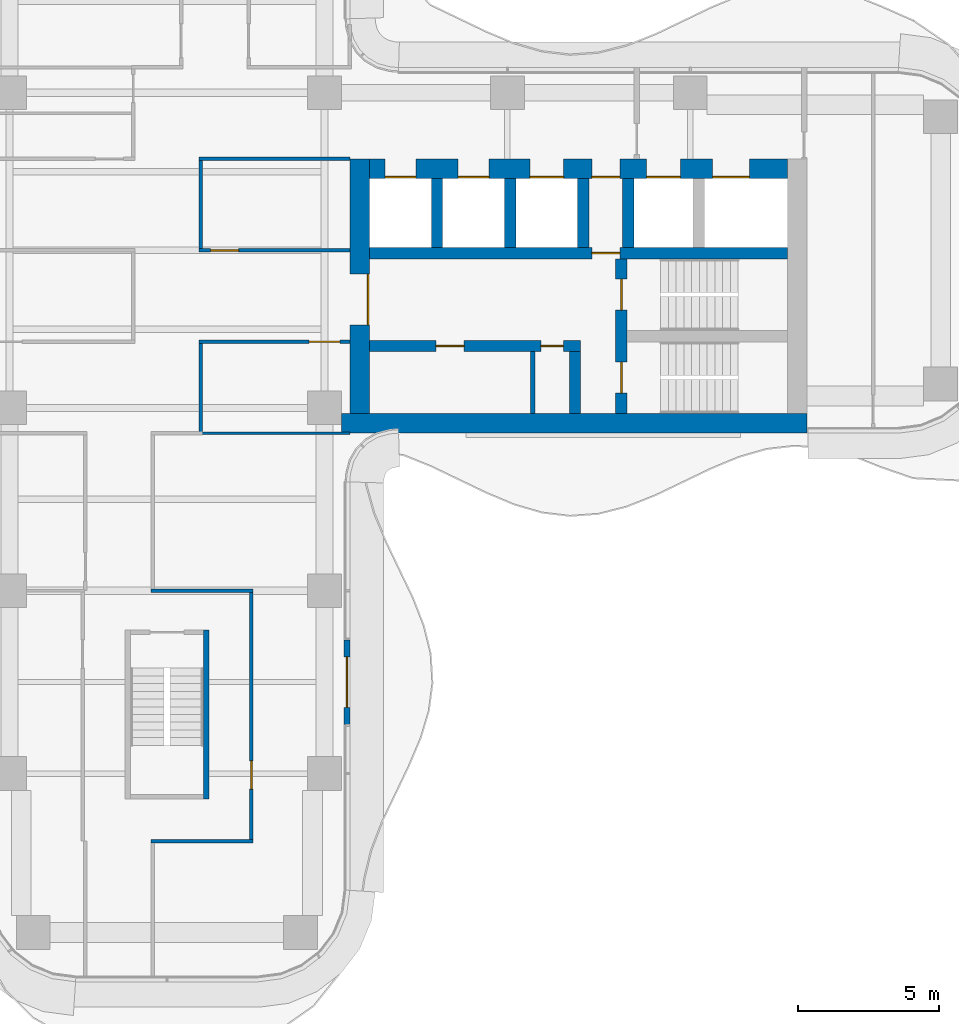
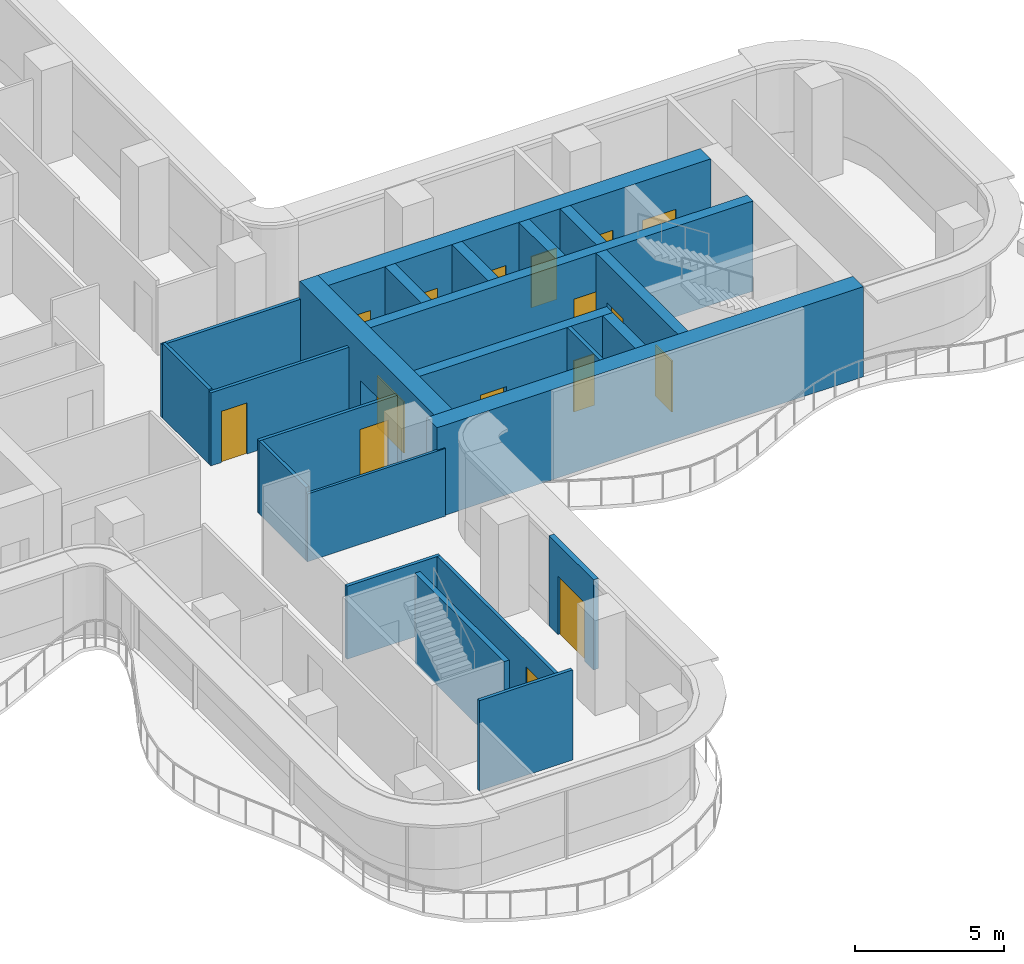
# One storey, part 13 of 17: 23 walls, 16 doors, 16 openings.
"""IFC4 building model written with IfcOpenShell, lengths in metres."""

from ifc_helpers import new_model, si_unit, direction, frame, frame_2d, origin, place, context, subcontext, project, spatial, rectangle, extrude, source, transform, mapped, material, layer, layer_set, type_object, element, fill, save


model = new_model("IFC4")

# Units and contexts
model_context = context("Model", 3, precision=1e-05, world=origin(), true_north=direction((0.0, 1.0)))
body_context = subcontext(model_context, "Body", "Model", "MODEL_VIEW")
ifc_project = project(units=[si_unit("LENGTHUNIT", "METRE"), si_unit("AREAUNIT", "SQUARE_METRE"), si_unit("VOLUMEUNIT", "CUBIC_METRE"), si_unit("PLANEANGLEUNIT", "RADIAN"), si_unit("MASSUNIT", "GRAM", prefix="KILO")], contexts=[model_context])

# Site, building, storey
site_placement = place(None, origin())
site = spatial("IfcSite", under=ifc_project, at=site_placement, CompositionType="ELEMENT")
building_placement = place(site_placement, origin())
building = spatial("IfcBuilding", under=site, at=building_placement, Name="Trellis Farm Tower", CompositionType="ELEMENT")
storey_placement = place(building_placement, frame((0.0, 0.0, 162.0)))
storey = spatial("IfcBuildingStorey", under=building, at=storey_placement, Name="L34", CompositionType="ELEMENT", Elevation=162.0)

# Wall, opening, door
ifc_material_1 = material(Name="Concrete C70/85", Category="concrete")
ifc_layer_1 = layer(ifc_material_1, 0.699951171875)
ifc_layer_set_1 = layer_set([ifc_layer_1], Name="CORE OUTER WALL 700 CONCRETE C70/85")
wall_type_1 = type_object("IfcWallType", Name="CORE OUTER WALL 700 CONCRETE C70/85", PredefinedType="SHEAR", material=ifc_layer_set_1)
shared_shape_1 = source(origin(), body_context, "Body", "SweptSolid", [
    extrude(rectangle(XDim=9.050048828125, YDim=0.699951171875, at=frame_2d((4.52490234375, 0.0))), origin(), (0.0, 0.0, 1.0), 3.699951171875),
])
wall_1_placement = place(storey_placement, frame((6.85009765625, -5.800048828125, 0.0), z_axis=(0.0, 0.0, 1.0), x_axis=(0.0, 1.0, 0.0)))
wall_1 = element("IfcWall", 1, at=wall_1_placement, inside=storey, type_object=wall_type_1, Name="Core wall", PredefinedType="SHEAR", context=body_context, shape_type="MappedRepresentation", body=[
    mapped(shared_shape_1, transform((0.0, 0.0, 0.0))),
])
shared_shape_2 = source(origin(), body_context, "Body", "SweptSolid", [
    extrude(rectangle(XDim=1.800048828125, YDim=2.10009765625, at=frame_2d((0.89990234375, 1.050048828125))), frame((0.0, 0.360107421875, 0.0), z_axis=(0.0, -1.0, 0.0), x_axis=(1.0, 0.0, 0.0)), (0.0, 0.0, 1.0), 0.72021484375),
])
opening_1_placement = place(wall_1_placement, frame((3.14990234375, 0.0, 0.0)))
opening_1 = element("IfcOpeningElement", 2, at=opening_1_placement, cuts=wall_1, Name="Opening DC1", PredefinedType="OPENING", context=body_context, shape_type="MappedRepresentation", body=[
    mapped(shared_shape_2, transform((0.0, 0.0, 0.0))),
])
ifc_material_2 = material(Name="Steel", Category="steel")
door_type_1 = type_object("IfcDoorType", Name="CORE FIRE DOOR DOUBLE 1800 X 2100", OperationType="DOUBLE_DOOR_SINGLE_SWING", PredefinedType="DOOR", material=ifc_material_2)
shared_shape_3 = source(origin(), body_context, "Body", "SweptSolid", [
    extrude(rectangle(XDim=1.800048828125, YDim=2.10009765625, at=frame_2d((0.89990234375, 1.050048828125))), frame((0.0, -0.27490234375, 0.0), z_axis=(0.0, -1.0, 0.0), x_axis=(1.0, 0.0, 0.0)), (0.0, 0.0, 1.0), 0.050048828125),
])
door_1_placement = place(opening_1_placement, origin())
door_1 = element("IfcDoor", 3, at=door_1_placement, inside=storey, type_object=door_type_1, Name="Core door", OperationType="DOUBLE_DOOR_SINGLE_SWING", OverallHeight=2.10009765625, OverallWidth=1.800048828125, PredefinedType="DOOR", context=body_context, shape_type="MappedRepresentation", body=[
    mapped(shared_shape_3, transform((0.0, 0.0, 0.0))),
])
fill(opening_1, door_1)

# Walls
ifc_layer_2 = layer(ifc_material_1, 0.39990234375)
ifc_layer_set_2 = layer_set([ifc_layer_2], Name="CORE INNER WALL 400 CONCRETE C70/85")
wall_type_2 = type_object("IfcWallType", Name="CORE INNER WALL 400 CONCRETE C70/85", PredefinedType="SHEAR", material=ifc_layer_set_2)
shared_shape_4 = source(origin(), body_context, "Body", "SweptSolid", [
    extrude(rectangle(XDim=2.449951171875, YDim=0.39990234375, at=frame_2d((1.22509765625, 0.0))), origin(), (0.0, 0.0, 1.0), 3.699951171875),
])
for number, where, z_axis, x_axis, name in (
    (4, (9.60009765625, 0.10009765625, 0.0), (0.0, 0.0, 1.0), (0.0, 1.0, 0.0), "Core wall"),
    (5, (12.199951171875, 0.10009765625, 0.0), (0.0, 0.0, 1.0), (0.0, 1.0, 0.0), "Core wall"),
    (6, (14.800048828125, 0.10009765625, 0.0), (0.0, 0.0, 1.0), (0.0, 1.0, 0.0), "Core wall"),
    (7, (16.39990234375, 0.10009765625, 0.0), (0.0, 0.0, 1.0), (0.0, 1.0, 0.0), "Core wall"),
):
    element("IfcWall", number, at=place(storey_placement, frame(where, z_axis=z_axis, x_axis=x_axis)), inside=storey, type_object=wall_type_2, Name=name, PredefinedType="SHEAR", context=body_context, shape_type="MappedRepresentation", body=[
        mapped(shared_shape_4, transform((0.0, 0.0, 0.0))),
    ])
shared_shape_5 = source(origin(), body_context, "Body", "SweptSolid", [
    extrude(rectangle(XDim=16.550048828125, YDim=0.699951171875, at=frame_2d((8.27490234375, 0.0))), origin(), (0.0, 0.0, 1.0), 3.699951171875),
])
wall_2_placement = place(storey_placement, frame((6.199951171875, -6.14990234375, 0.0), z_axis=(0.0, 0.0, 1.0), x_axis=(1.0, 0.0, 0.0)))
element("IfcWall", 8, at=wall_2_placement, inside=storey, type_object=wall_type_1, Name="Core wall", PredefinedType="SHEAR", context=body_context, shape_type="MappedRepresentation", body=[
    mapped(shared_shape_5, transform((0.0, 0.0, 0.0))),
])

# Wall, openings, doors
shared_shape_6 = source(origin(), body_context, "Body", "SweptSolid", [
    extrude(rectangle(XDim=14.85009765625, YDim=0.699951171875, at=frame_2d((7.425048828125, 0.0))), origin(), (0.0, 0.0, 1.0), 3.699951171875),
])
wall_3_placement = place(storey_placement, frame((7.199951171875, 2.89990234375, 0.0), z_axis=(0.0, 0.0, 1.0), x_axis=(1.0, 0.0, 0.0)))
wall_3 = element("IfcWall", 9, at=wall_3_placement, inside=storey, type_object=wall_type_1, Name="Core wall", PredefinedType="SHEAR", context=body_context, shape_type="MappedRepresentation", body=[
    mapped(shared_shape_6, transform((0.0, 0.0, 0.0))),
])
shared_shape_7 = source(origin(), body_context, "Body", "SweptSolid", [
    extrude(rectangle(XDim=1.10009765625, YDim=2.10009765625, at=frame_2d((0.550048828125, 1.050048828125))), frame((0.0, 0.360107421875, 0.0), z_axis=(0.0, -1.0, 0.0), x_axis=(1.0, 0.0, 0.0)), (0.0, 0.0, 1.0), 0.72021484375),
])
opening_2_placement = place(wall_3_placement, frame((0.550048828125, 0.0, 0.0)))
opening_2 = element("IfcOpeningElement", 10, at=opening_2_placement, cuts=wall_3, Name="Opening LD4", PredefinedType="OPENING", context=body_context, shape_type="MappedRepresentation", body=[
    mapped(shared_shape_7, transform((0.0, 0.0, 0.0))),
])
opening_3_placement = place(wall_3_placement, frame((3.14990234375, 0.0, 0.0)))
opening_3 = element("IfcOpeningElement", 11, at=opening_3_placement, cuts=wall_3, Name="Opening LD5", PredefinedType="OPENING", context=body_context, shape_type="MappedRepresentation", body=[
    mapped(shared_shape_7, transform((0.0, 0.0, 0.0))),
])
shared_shape_8 = source(origin(), body_context, "Body", "SweptSolid", [
    extrude(rectangle(XDim=1.199951171875, YDim=2.10009765625, at=frame_2d((0.60009765625, 1.050048828125))), frame((0.0, 0.360107421875, 0.0), z_axis=(0.0, -1.0, 0.0), x_axis=(1.0, 0.0, 0.0)), (0.0, 0.0, 1.0), 0.72021484375),
])
opening_4_placement = place(wall_3_placement, frame((5.699951171875, 0.0, 0.0)))
opening_4 = element("IfcOpeningElement", 12, at=opening_4_placement, cuts=wall_3, Name="Opening LD6", PredefinedType="OPENING", context=body_context, shape_type="MappedRepresentation", body=[
    mapped(shared_shape_8, transform((0.0, 0.0, 0.0))),
])
shared_shape_9 = source(origin(), body_context, "Body", "SweptSolid", [
    extrude(rectangle(XDim=1.300048828125, YDim=2.10009765625, at=frame_2d((0.64990234375, 1.050048828125))), frame((0.0, 0.360107421875, 0.0), z_axis=(0.0, -1.0, 0.0), x_axis=(1.0, 0.0, 0.0)), (0.0, 0.0, 1.0), 0.72021484375),
])
opening_5_placement = place(wall_3_placement, frame((12.199951171875, 0.0, 0.0)))
opening_5 = element("IfcOpeningElement", 13, at=opening_5_placement, cuts=wall_3, Name="Opening LD7", PredefinedType="OPENING", context=body_context, shape_type="MappedRepresentation", body=[
    mapped(shared_shape_9, transform((0.0, 0.0, 0.0))),
])
opening_6_placement = place(wall_3_placement, frame((9.85009765625, 0.0, 0.0)))
opening_6 = element("IfcOpeningElement", 14, at=opening_6_placement, cuts=wall_3, Name="Opening LD8", PredefinedType="OPENING", context=body_context, shape_type="MappedRepresentation", body=[
    mapped(shared_shape_8, transform((0.0, 0.0, 0.0))),
])
shared_shape_10 = source(origin(), body_context, "Body", "SweptSolid", [
    extrude(rectangle(XDim=1.0, YDim=2.10009765625, at=frame_2d((0.5, 1.050048828125))), frame((0.0, 0.360107421875, 0.0), z_axis=(0.0, -1.0, 0.0), x_axis=(1.0, 0.0, 0.0)), (0.0, 0.0, 1.0), 0.72021484375),
])
opening_7_placement = place(wall_3_placement, frame((7.89990234375, 0.0, 0.0)))
opening_7 = element("IfcOpeningElement", 15, at=opening_7_placement, cuts=wall_3, Name="Opening DC6", PredefinedType="OPENING", context=body_context, shape_type="MappedRepresentation", body=[
    mapped(shared_shape_10, transform((0.0, 0.0, 0.0))),
])
door_type_2 = type_object("IfcDoorType", Name="CORE FIRE DOOR 1000 X 2100", OperationType="NOTDEFINED", PredefinedType="DOOR", material=ifc_material_2)
shared_shape_11 = source(origin(), body_context, "Body", "SweptSolid", [
    extrude(rectangle(XDim=1.0, YDim=2.10009765625, at=frame_2d((0.5, 1.050048828125))), frame((0.0, -0.27490234375, 0.0), z_axis=(0.0, -1.0, 0.0), x_axis=(1.0, 0.0, 0.0)), (0.0, 0.0, 1.0), 0.050048828125),
])
door_2_placement = place(opening_7_placement, origin())
door_2 = element("IfcDoor", 16, at=door_2_placement, inside=storey, type_object=door_type_2, Name="Core door", OperationType="SINGLE_SWING_LEFT", OverallHeight=2.10009765625, OverallWidth=1.0, PredefinedType="DOOR", context=body_context, shape_type="MappedRepresentation", body=[
    mapped(shared_shape_11, transform((0.0, 0.0, 0.0))),
])
fill(opening_7, door_2)
ifc_material_3 = material(Name="Stainless steel", Category="steel")
door_type_3 = type_object("IfcDoorType", Name="LIFT LANDING DOOR 1300 X 2100", OperationType="DOUBLE_DOOR_SLIDING", PredefinedType="DOOR", material=ifc_material_3)
shared_shape_12 = source(origin(), body_context, "Body", "SweptSolid", [
    extrude(rectangle(XDim=1.300048828125, YDim=2.10009765625, at=frame_2d((0.64990234375, 1.050048828125))), frame((0.0, -0.27490234375, 0.0), z_axis=(0.0, -1.0, 0.0), x_axis=(1.0, 0.0, 0.0)), (0.0, 0.0, 1.0), 0.050048828125),
])
door_3_placement = place(opening_5_placement, origin())
door_3 = element("IfcDoor", 17, at=door_3_placement, inside=storey, type_object=door_type_3, Name="Lift landing door", OperationType="DOUBLE_DOOR_SLIDING", OverallHeight=2.10009765625, OverallWidth=1.300048828125, PredefinedType="DOOR", context=body_context, shape_type="MappedRepresentation", body=[
    mapped(shared_shape_12, transform((0.0, 0.0, 0.0))),
])
fill(opening_5, door_3)
door_type_4 = type_object("IfcDoorType", Name="LIFT LANDING DOOR 1200 X 2100", OperationType="DOUBLE_DOOR_SLIDING", PredefinedType="DOOR", material=ifc_material_3)
shared_shape_13 = source(origin(), body_context, "Body", "SweptSolid", [
    extrude(rectangle(XDim=1.199951171875, YDim=2.10009765625, at=frame_2d((0.60009765625, 1.050048828125))), frame((0.0, -0.27490234375, 0.0), z_axis=(0.0, -1.0, 0.0), x_axis=(1.0, 0.0, 0.0)), (0.0, 0.0, 1.0), 0.050048828125),
])
door_4_placement = place(opening_4_placement, origin())
door_4 = element("IfcDoor", 18, at=door_4_placement, inside=storey, type_object=door_type_4, Name="Lift landing door", OperationType="DOUBLE_DOOR_SLIDING", OverallHeight=2.10009765625, OverallWidth=1.199951171875, PredefinedType="DOOR", context=body_context, shape_type="MappedRepresentation", body=[
    mapped(shared_shape_13, transform((0.0, 0.0, 0.0))),
])
fill(opening_4, door_4)
door_5_placement = place(opening_6_placement, origin())
door_5 = element("IfcDoor", 19, at=door_5_placement, inside=storey, type_object=door_type_4, Name="Lift landing door", OperationType="DOUBLE_DOOR_SLIDING", OverallHeight=2.10009765625, OverallWidth=1.199951171875, PredefinedType="DOOR", context=body_context, shape_type="MappedRepresentation", body=[
    mapped(shared_shape_13, transform((0.0, 0.0, 0.0))),
])
fill(opening_6, door_5)
door_type_5 = type_object("IfcDoorType", Name="LIFT LANDING DOOR 1100 X 2100", OperationType="DOUBLE_DOOR_SLIDING", PredefinedType="DOOR", material=ifc_material_3)
shared_shape_14 = source(origin(), body_context, "Body", "SweptSolid", [
    extrude(rectangle(XDim=1.10009765625, YDim=2.10009765625, at=frame_2d((0.550048828125, 1.050048828125))), frame((0.0, -0.27490234375, 0.0), z_axis=(0.0, -1.0, 0.0), x_axis=(1.0, 0.0, 0.0)), (0.0, 0.0, 1.0), 0.050048828125),
])
door_6_placement = place(opening_2_placement, origin())
door_6 = element("IfcDoor", 20, at=door_6_placement, inside=storey, type_object=door_type_5, Name="Lift landing door", OperationType="DOUBLE_DOOR_SLIDING", OverallHeight=2.10009765625, OverallWidth=1.10009765625, PredefinedType="DOOR", context=body_context, shape_type="MappedRepresentation", body=[
    mapped(shared_shape_14, transform((0.0, 0.0, 0.0))),
])
fill(opening_2, door_6)
door_7_placement = place(opening_3_placement, origin())
door_7 = element("IfcDoor", 21, at=door_7_placement, inside=storey, type_object=door_type_5, Name="Lift landing door", OperationType="DOUBLE_DOOR_SLIDING", OverallHeight=2.10009765625, OverallWidth=1.10009765625, PredefinedType="DOOR", context=body_context, shape_type="MappedRepresentation", body=[
    mapped(shared_shape_14, transform((0.0, 0.0, 0.0))),
])
fill(opening_3, door_7)

shared_shape_15 = source(origin(), body_context, "Body", "SweptSolid", [
    extrude(rectangle(XDim=7.5, YDim=0.39990234375, at=frame_2d((3.75, 0.0))), origin(), (0.0, 0.0, 1.0), 3.699951171875),
])
wall_4_placement = place(storey_placement, frame((7.199951171875, -3.39990234375, 0.0), z_axis=(0.0, 0.0, 1.0), x_axis=(1.0, 0.0, 0.0)))
wall_4 = element("IfcWall", 22, at=wall_4_placement, inside=storey, type_object=wall_type_2, Name="Core wall", PredefinedType="SHEAR", context=body_context, shape_type="MappedRepresentation", body=[
    mapped(shared_shape_15, transform((0.0, 0.0, 0.0))),
])
shared_shape_16 = source(origin(), body_context, "Body", "SweptSolid", [
    extrude(rectangle(XDim=1.0, YDim=2.10009765625, at=frame_2d((0.5, 1.050048828125))), frame((0.0, 0.2099609375, 0.0), z_axis=(0.0, -1.0, 0.0), x_axis=(1.0, 0.0, 0.0)), (0.0, 0.0, 1.0), 0.419921875),
])
opening_8_placement = place(wall_4_placement, frame((2.362548828125, 0.0, 0.0)))
opening_8 = element("IfcOpeningElement", 23, at=opening_8_placement, cuts=wall_4, Name="Opening DC55", PredefinedType="OPENING", context=body_context, shape_type="MappedRepresentation", body=[
    mapped(shared_shape_16, transform((0.0, 0.0, 0.0))),
])
shared_shape_17 = source(origin(), body_context, "Body", "SweptSolid", [
    extrude(rectangle(XDim=0.800048828125, YDim=2.10009765625, at=frame_2d((0.39990234375, 1.050048828125))), frame((0.0, 0.2099609375, 0.0), z_axis=(0.0, -1.0, 0.0), x_axis=(1.0, 0.0, 0.0)), (0.0, 0.0, 1.0), 0.419921875),
])
opening_9_placement = place(wall_4_placement, frame((6.08740234375, 0.0, 0.0)))
opening_9 = element("IfcOpeningElement", 24, at=opening_9_placement, cuts=wall_4, Name="Opening DC58", PredefinedType="OPENING", context=body_context, shape_type="MappedRepresentation", body=[
    mapped(shared_shape_17, transform((0.0, 0.0, 0.0))),
])
shared_shape_18 = source(origin(), body_context, "Body", "SweptSolid", [
    extrude(rectangle(XDim=1.0, YDim=2.10009765625, at=frame_2d((0.5, 1.050048828125))), frame((0.0, 0.02490234375, 0.0), z_axis=(0.0, -1.0, 0.0), x_axis=(1.0, 0.0, 0.0)), (0.0, 0.0, 1.0), 0.050048828125),
])
door_8_placement = place(opening_8_placement, origin())
door_8 = element("IfcDoor", 25, at=door_8_placement, inside=storey, type_object=door_type_2, Name="Core door", OperationType="SINGLE_SWING_LEFT", OverallHeight=2.10009765625, OverallWidth=1.0, PredefinedType="DOOR", context=body_context, shape_type="MappedRepresentation", body=[
    mapped(shared_shape_18, transform((0.0, 0.0, 0.0))),
])
fill(opening_8, door_8)
door_type_6 = type_object("IfcDoorType", Name="CORE FIRE DOOR 800 X 2100", OperationType="NOTDEFINED", PredefinedType="DOOR", material=ifc_material_2)
shared_shape_19 = source(origin(), body_context, "Body", "SweptSolid", [
    extrude(rectangle(XDim=0.800048828125, YDim=2.10009765625, at=frame_2d((0.39990234375, 1.050048828125))), frame((0.0, 0.02490234375, 0.0), z_axis=(0.0, -1.0, 0.0), x_axis=(1.0, 0.0, 0.0)), (0.0, 0.0, 1.0), 0.050048828125),
])
door_9_placement = place(opening_9_placement, origin())
door_9 = element("IfcDoor", 26, at=door_9_placement, inside=storey, type_object=door_type_6, Name="Core door", OperationType="SINGLE_SWING_RIGHT", OverallHeight=2.10009765625, OverallWidth=0.800048828125, PredefinedType="DOOR", context=body_context, shape_type="MappedRepresentation", body=[
    mapped(shared_shape_19, transform((0.0, 0.0, 0.0))),
])
fill(opening_9, door_9)

# Wall, opening, door
shared_shape_20 = source(origin(), body_context, "Body", "SweptSolid", [
    extrude(rectangle(XDim=14.85009765625, YDim=0.39990234375, at=frame_2d((7.425048828125, 0.0))), origin(), (0.0, 0.0, 1.0), 3.699951171875),
])
wall_5_placement = place(storey_placement, frame((7.199951171875, -0.10009765625, 0.0), z_axis=(0.0, 0.0, 1.0), x_axis=(1.0, 0.0, 0.0)))
wall_5 = element("IfcWall", 27, at=wall_5_placement, inside=storey, type_object=wall_type_2, Name="Core wall", PredefinedType="SHEAR", context=body_context, shape_type="MappedRepresentation", body=[
    mapped(shared_shape_20, transform((0.0, 0.0, 0.0))),
])
opening_10_placement = place(wall_5_placement, frame((7.89990234375, 0.0, 0.0)))
opening_10 = element("IfcOpeningElement", 28, at=opening_10_placement, cuts=wall_5, Name="Opening DC5", PredefinedType="OPENING", context=body_context, shape_type="MappedRepresentation", body=[
    mapped(shared_shape_16, transform((0.0, 0.0, 0.0))),
])
door_10_placement = place(opening_10_placement, origin())
door_10 = element("IfcDoor", 29, at=door_10_placement, inside=storey, type_object=door_type_2, Name="Core door", OperationType="SINGLE_SWING_RIGHT", OverallHeight=2.10009765625, OverallWidth=1.0, PredefinedType="DOOR", context=body_context, shape_type="MappedRepresentation", body=[
    mapped(shared_shape_18, transform((0.0, 0.0, 0.0))),
])
fill(opening_10, door_10)

# Wall, openings, doors
shared_shape_21 = source(origin(), body_context, "Body", "SweptSolid", [
    extrude(rectangle(XDim=5.5, YDim=0.39990234375, at=frame_2d((2.75, 0.0))), origin(), (0.0, 0.0, 1.0), 3.699951171875),
])
wall_6_placement = place(storey_placement, frame((16.14990234375, -5.800048828125, 0.0), z_axis=(0.0, 0.0, 1.0), x_axis=(0.0, 1.0, 0.0)))
wall_6 = element("IfcWall", 30, at=wall_6_placement, inside=storey, type_object=wall_type_2, Name="Core wall", PredefinedType="SHEAR", context=body_context, shape_type="MappedRepresentation", body=[
    mapped(shared_shape_21, transform((0.0, 0.0, 0.0))),
])
shared_shape_22 = source(origin(), body_context, "Body", "SweptSolid", [
    extrude(rectangle(XDim=1.10009765625, YDim=2.10009765625, at=frame_2d((0.550048828125, 1.050048828125))), frame((0.0, 0.2099609375, 0.0), z_axis=(0.0, -1.0, 0.0), x_axis=(1.0, 0.0, 0.0)), (0.0, 0.0, 1.0), 0.419921875),
])
opening_11_placement = place(wall_6_placement, frame((0.72509765625, 0.0, 0.0)))
opening_11 = element("IfcOpeningElement", 31, at=opening_11_placement, cuts=wall_6, Name="Opening DC2", PredefinedType="OPENING", context=body_context, shape_type="MappedRepresentation", body=[
    mapped(shared_shape_22, transform((0.0, 0.0, 0.0))),
])
opening_12_placement = place(wall_6_placement, frame((3.675048828125, 0.0, 0.0)))
opening_12 = element("IfcOpeningElement", 32, at=opening_12_placement, cuts=wall_6, Name="Opening DC3", PredefinedType="OPENING", context=body_context, shape_type="MappedRepresentation", body=[
    mapped(shared_shape_22, transform((0.0, 0.0, 0.0))),
])
door_type_7 = type_object("IfcDoorType", Name="CORE FIRE DOOR 1100 X 2100", OperationType="NOTDEFINED", PredefinedType="DOOR", material=ifc_material_2)
shared_shape_23 = source(origin(), body_context, "Body", "SweptSolid", [
    extrude(rectangle(XDim=1.10009765625, YDim=2.10009765625, at=frame_2d((0.550048828125, 1.050048828125))), frame((0.0, 0.02490234375, 0.0), z_axis=(0.0, -1.0, 0.0), x_axis=(1.0, 0.0, 0.0)), (0.0, 0.0, 1.0), 0.050048828125),
])
door_11_placement = place(opening_11_placement, origin())
door_11 = element("IfcDoor", 33, at=door_11_placement, inside=storey, type_object=door_type_7, Name="Core door", OperationType="SINGLE_SWING_RIGHT", OverallHeight=2.10009765625, OverallWidth=1.10009765625, PredefinedType="DOOR", context=body_context, shape_type="MappedRepresentation", body=[
    mapped(shared_shape_23, transform((0.0, 0.0, 0.0))),
])
fill(opening_11, door_11)
door_12_placement = place(opening_12_placement, origin())
door_12 = element("IfcDoor", 34, at=door_12_placement, inside=storey, type_object=door_type_7, Name="Core door", OperationType="SINGLE_SWING_LEFT", OverallHeight=2.10009765625, OverallWidth=1.10009765625, PredefinedType="DOOR", context=body_context, shape_type="MappedRepresentation", body=[
    mapped(shared_shape_23, transform((0.0, 0.0, 0.0))),
])
fill(opening_12, door_12)

# Walls
shared_shape_24 = source(origin(), body_context, "Body", "SweptSolid", [
    extrude(rectangle(XDim=2.199951171875, YDim=0.39990234375, at=frame_2d((1.10009765625, 0.0))), origin(), (0.0, 0.0, 1.0), 3.699951171875),
])
wall_7_placement = place(storey_placement, frame((14.5, -5.800048828125, 0.0), z_axis=(0.0, 0.0, 1.0), x_axis=(0.0, 1.0, 0.0)))
element("IfcWall", 35, at=wall_7_placement, inside=storey, type_object=wall_type_2, Name="Core wall", PredefinedType="SHEAR", context=body_context, shape_type="MappedRepresentation", body=[
    mapped(shared_shape_24, transform((0.0, 0.0, 0.0))),
])
ifc_material_4 = material(Name="Masonry blockwork", Category="masonry")
ifc_layer_3 = layer(ifc_material_4, 0.14990234375)
ifc_layer_set_3 = layer_set([ifc_layer_3], Name="CORE PARTITION 150 BLOCKWORK")
wall_type_3 = type_object("IfcWallType", Name="CORE PARTITION 150 BLOCKWORK", PredefinedType="PARTITIONING", material=ifc_layer_set_3)
shared_shape_25 = source(origin(), body_context, "Body", "SweptSolid", [
    extrude(rectangle(XDim=2.199951171875, YDim=0.14990234375, at=frame_2d((1.10009765625, 0.0))), origin(), (0.0, 0.0, 1.0), 3.699951171875),
])
wall_8_placement = place(storey_placement, frame((13.0, -5.800048828125, 0.0), z_axis=(0.0, 0.0, 1.0), x_axis=(0.0, 1.0, 0.0)))
element("IfcWall", 36, at=wall_8_placement, inside=storey, type_object=wall_type_3, Name="Core room partition", PredefinedType="PARTITIONING", context=body_context, shape_type="MappedRepresentation", body=[
    mapped(shared_shape_25, transform((0.0, 0.0, 0.0))),
])
ifc_layer_4 = layer(ifc_material_1, 0.199951171875)
ifc_layer_set_4 = layer_set([ifc_layer_4], Name="CORE STAIR ENCLOSURE WALL 200 CONCRETE C70/85")
wall_type_4 = type_object("IfcWallType", Name="CORE STAIR ENCLOSURE WALL 200 CONCRETE C70/85", PredefinedType="SHEAR", material=ifc_layer_set_4)
shared_shape_26 = source(origin(), body_context, "Body", "SweptSolid", [
    extrude(rectangle(XDim=6.0, YDim=0.199951171875, at=frame_2d((3.0, 0.0))), origin(), (0.0, 0.0, 1.0), 3.699951171875),
])
wall_9_placement = place(storey_placement, frame((1.39990234375, -13.5, 0.0), z_axis=(0.0, 0.0, 1.0), x_axis=(0.0, -1.0, 0.0)))
element("IfcWall", 37, at=wall_9_placement, inside=storey, type_object=wall_type_4, Name="Stair enclosure wall", PredefinedType="SHEAR", context=body_context, shape_type="MappedRepresentation", body=[
    mapped(shared_shape_26, transform((0.0, 0.0, 0.0))),
])

# Wall, opening, door
ifc_material_5 = material(Name="Sandstone faced insulated wall", Category="masonry")
ifc_layer_5 = layer(ifc_material_5, 0.199951171875)
ifc_layer_set_5 = layer_set([ifc_layer_5], Name="EXTERNAL INFILL WALL 200")
wall_type_5 = type_object("IfcWallType", Name="EXTERNAL INFILL WALL 200", PredefinedType="SOLIDWALL", material=ifc_layer_set_5)
shared_shape_27 = source(origin(), body_context, "Body", "SweptSolid", [
    extrude(rectangle(XDim=3.0, YDim=0.199951171875, at=frame_2d((1.5, 0.0))), origin(), (0.0, 0.0, 1.0), 3.699951171875),
])
wall_10_placement = place(storey_placement, frame((6.39990234375, -16.85009765625, 0.0), z_axis=(0.0, 0.0, 1.0), x_axis=(0.0, 1.0, 0.0)))
wall_10 = element("IfcWall", 38, at=wall_10_placement, inside=storey, type_object=wall_type_5, Name="EW1 01", PredefinedType="SOLIDWALL", context=body_context, shape_type="MappedRepresentation", body=[
    mapped(shared_shape_27, transform((0.0, 0.0, 0.0))),
])
shared_shape_28 = source(origin(), body_context, "Body", "SweptSolid", [
    extrude(rectangle(XDim=1.800048828125, YDim=2.39990234375, at=frame_2d((0.89990234375, 1.199951171875))), frame((0.0, 0.110107421875, 0.0), z_axis=(0.0, -1.0, 0.0), x_axis=(1.0, 0.0, 0.0)), (0.0, 0.0, 1.0), 0.22021484375),
])
opening_13_placement = place(wall_10_placement, frame((0.60009765625, 0.0, 0.0)))
opening_13 = element("IfcOpeningElement", 39, at=opening_13_placement, cuts=wall_10, Name="Opening ED1", PredefinedType="OPENING", context=body_context, shape_type="MappedRepresentation", body=[
    mapped(shared_shape_28, transform((0.0, 0.0, 0.0))),
])
ifc_material_6 = material(Name="Aluminium framed glazed door", Category="aluminium")
door_type_8 = type_object("IfcDoorType", Name="BALCONY DOOR 1800x2400", OperationType="DOUBLE_DOOR_SINGLE_SWING", PredefinedType="DOOR", material=ifc_material_6)
shared_shape_29 = source(origin(), body_context, "Body", "SweptSolid", [
    extrude(rectangle(XDim=1.800048828125, YDim=2.39990234375, at=frame_2d((0.89990234375, 1.199951171875))), frame((0.0, 0.02490234375, 0.0), z_axis=(0.0, -1.0, 0.0), x_axis=(1.0, 0.0, 0.0)), (0.0, 0.0, 1.0), 0.050048828125),
])
door_13_placement = place(opening_13_placement, origin())
door_13 = element("IfcDoor", 40, at=door_13_placement, inside=storey, type_object=door_type_8, Name="Balcony door", OperationType="DOUBLE_DOOR_SINGLE_SWING", OverallHeight=2.39990234375, OverallWidth=1.800048828125, PredefinedType="DOOR", context=body_context, shape_type="MappedRepresentation", body=[
    mapped(shared_shape_29, transform((0.0, 0.0, 0.0))),
])
fill(opening_13, door_13)

# Walls
ifc_material_7 = material(Name="Plasterboard on steel studs, mineral wool", Category="steel")
ifc_layer_6 = layer(ifc_material_7, 0.125)
ifc_layer_set_6 = layer_set([ifc_layer_6], Name="PARTITION 125 STUD EI 60")
wall_type_6 = type_object("IfcWallType", Name="PARTITION 125 STUD EI 60", PredefinedType="PARTITIONING", material=ifc_layer_set_6)
shared_shape_30 = source(origin(), body_context, "Body", "SweptSolid", [
    extrude(rectangle(XDim=3.137451171875, YDim=0.125, at=frame_2d((1.56884765625, 0.0))), origin(), (0.0, 0.0, 1.0), 2.99658203125),
])
wall_11_placement = place(storey_placement, frame((1.199951171875, -3.3125, 0.0), z_axis=(0.0, 0.0, 1.0), x_axis=(0.0, -1.0, 0.0)))
element("IfcWall", 41, at=wall_11_placement, inside=storey, type_object=wall_type_6, Name="Partition PW1", PredefinedType="PARTITIONING", context=body_context, shape_type="MappedRepresentation", body=[
    mapped(shared_shape_30, transform((0.0, 0.0, 0.0))),
])
shared_shape_31 = source(origin(), body_context, "Body", "SweptSolid", [
    extrude(rectangle(XDim=3.125, YDim=0.125, at=frame_2d((1.5625, 0.0))), origin(), (0.0, 0.0, 1.0), 3.06787109375),
])
wall_12_placement = place(storey_placement, frame((1.199951171875, 3.1875, 0.0), z_axis=(0.0, 0.0, 1.0), x_axis=(0.0, -1.0, 0.0)))
element("IfcWall", 42, at=wall_12_placement, inside=storey, type_object=wall_type_6, Name="Partition PW1", PredefinedType="PARTITIONING", context=body_context, shape_type="MappedRepresentation", body=[
    mapped(shared_shape_31, transform((0.0, 0.0, 0.0))),
])

# Wall, opening, door
shared_shape_32 = source(origin(), body_context, "Body", "SweptSolid", [
    extrude(rectangle(XDim=5.362548828125, YDim=0.125, at=frame_2d((2.68115234375, 0.0))), origin(), (0.0, 0.0, 1.0), 2.99658203125),
])
wall_13_placement = place(storey_placement, frame((6.5, -3.25, 0.0), z_axis=(0.0, 0.0, 1.0), x_axis=(-1.0, 0.0, 0.0)))
wall_13 = element("IfcWall", 43, at=wall_13_placement, inside=storey, type_object=wall_type_6, Name="Partition PW1", PredefinedType="PARTITIONING", context=body_context, shape_type="MappedRepresentation", body=[
    mapped(shared_shape_32, transform((0.0, 0.0, 0.0))),
])
shared_shape_33 = source(origin(), body_context, "Body", "SweptSolid", [
    extrude(rectangle(XDim=1.10009765625, YDim=2.10009765625, at=frame_2d((0.550048828125, 1.050048828125))), frame((0.0, 0.072509765625, 0.0), z_axis=(0.0, -1.0, 0.0), x_axis=(1.0, 0.0, 0.0)), (0.0, 0.0, 1.0), 0.14501953125),
])
opening_14_placement = place(wall_13_placement, frame((0.35009765625, 0.0, 0.0)))
opening_14 = element("IfcOpeningElement", 44, at=opening_14_placement, cuts=wall_13, Name="Opening D501", PredefinedType="OPENING", context=body_context, shape_type="MappedRepresentation", body=[
    mapped(shared_shape_33, transform((0.0, 0.0, 0.0))),
])
ifc_material_8 = material(Name="Fire-rated timber door leaf in a hollow metal frame", Category="wood")
door_type_9 = type_object("IfcDoorType", Name="DOOR 1100x2100 FD30S", OperationType="NOTDEFINED", PredefinedType="DOOR", material=ifc_material_8)
door_14_placement = place(opening_14_placement, origin())
door_14 = element("IfcDoor", 45, at=door_14_placement, inside=storey, type_object=door_type_9, Name="Door D501", OperationType="SINGLE_SWING_LEFT", OverallHeight=2.10009765625, OverallWidth=1.10009765625, PredefinedType="DOOR", context=body_context, shape_type="MappedRepresentation", body=[
    mapped(shared_shape_23, transform((0.0, 0.0, 0.0))),
])
fill(opening_14, door_14)

wall_14_placement = place(storey_placement, frame((6.5, 0.0, 0.0), z_axis=(0.0, 0.0, 1.0), x_axis=(-1.0, 0.0, 0.0)))
wall_14 = element("IfcWall", 46, at=wall_14_placement, inside=storey, type_object=wall_type_6, Name="Partition PW1", PredefinedType="PARTITIONING", context=body_context, shape_type="MappedRepresentation", body=[
    mapped(shared_shape_32, transform((0.0, 0.0, 0.0))),
])
shared_shape_34 = source(origin(), body_context, "Body", "SweptSolid", [
    extrude(rectangle(XDim=1.0, YDim=2.10009765625, at=frame_2d((0.5, 1.050048828125))), frame((0.0, 0.072509765625, 0.0), z_axis=(0.0, -1.0, 0.0), x_axis=(1.0, 0.0, 0.0)), (0.0, 0.0, 1.0), 0.14501953125),
])
opening_15_placement = place(wall_14_placement, frame((3.949951171875, 0.0, 0.0)))
opening_15 = element("IfcOpeningElement", 47, at=opening_15_placement, cuts=wall_14, Name="Opening D106", PredefinedType="OPENING", context=body_context, shape_type="MappedRepresentation", body=[
    mapped(shared_shape_34, transform((0.0, 0.0, 0.0))),
])
door_type_10 = type_object("IfcDoorType", Name="DOOR 1000x2100 FD30S", OperationType="NOTDEFINED", PredefinedType="DOOR", material=ifc_material_8)
door_15_placement = place(opening_15_placement, origin())
door_15 = element("IfcDoor", 48, at=door_15_placement, inside=storey, type_object=door_type_10, Name="Door D106", OperationType="SINGLE_SWING_RIGHT", OverallHeight=2.10009765625, OverallWidth=1.0, PredefinedType="DOOR", context=body_context, shape_type="MappedRepresentation", body=[
    mapped(shared_shape_18, transform((0.0, 0.0, 0.0))),
])
fill(opening_15, door_15)

# Walls
wall_15_placement = place(storey_placement, frame((1.137451171875, 3.25, 0.0), z_axis=(0.0, 0.0, 1.0), x_axis=(1.0, 0.0, 0.0)))
element("IfcWall", 49, at=wall_15_placement, inside=storey, type_object=wall_type_6, Name="Partition PW1", PredefinedType="PARTITIONING", context=body_context, shape_type="MappedRepresentation", body=[
    mapped(shared_shape_32, transform((0.0, 0.0, 0.0))),
])
ifc_material_9 = material(Name="Plasterboard on steel studs", Category="steel")
ifc_layer_7 = layer(ifc_material_9, 0.10009765625)
ifc_layer_set_7 = layer_set([ifc_layer_7], Name="PARTITION 100 STUD EI 30")
wall_type_7 = type_object("IfcWallType", Name="PARTITION 100 STUD EI 30", PredefinedType="PARTITIONING", material=ifc_layer_set_7)
shared_shape_35 = source(origin(), body_context, "Body", "SweptSolid", [
    extrude(rectangle(XDim=5.362548828125, YDim=0.10009765625, at=frame_2d((2.68115234375, 0.0))), origin(), (0.0, 0.0, 1.0), 2.780029296875),
])
wall_16_placement = place(storey_placement, frame((1.137451171875, -6.5, 0.0), z_axis=(0.0, 0.0, 1.0), x_axis=(1.0, 0.0, 0.0)))
element("IfcWall", 50, at=wall_16_placement, inside=storey, type_object=wall_type_7, Name="Partition PW2", PredefinedType="PARTITIONING", context=body_context, shape_type="MappedRepresentation", body=[
    mapped(shared_shape_35, transform((0.0, 0.0, 0.0))),
])
shared_shape_36 = source(origin(), body_context, "Body", "SweptSolid", [
    extrude(rectangle(XDim=3.625, YDim=0.125, at=frame_2d((1.8125, 0.0))), origin(), (0.0, 0.0, 1.0), 2.99658203125),
])
wall_17_placement = place(storey_placement, frame((-0.5625, -12.10009765625, 0.0), z_axis=(0.0, 0.0, 1.0), x_axis=(1.0, 0.0, 0.0)))
element("IfcWall", 51, at=wall_17_placement, inside=storey, type_object=wall_type_6, Name="Partition PW1", PredefinedType="PARTITIONING", context=body_context, shape_type="MappedRepresentation", body=[
    mapped(shared_shape_36, transform((0.0, 0.0, 0.0))),
])

# Wall, opening, door
shared_shape_37 = source(origin(), body_context, "Body", "SweptSolid", [
    extrude(rectangle(XDim=8.77490234375, YDim=0.125, at=frame_2d((4.387451171875, 0.0))), origin(), (0.0, 0.0, 1.0), 2.99658203125),
])
wall_18_placement = place(storey_placement, frame((3.0, -12.16259765625, 0.0), z_axis=(0.0, 0.0, 1.0), x_axis=(0.0, -1.0, 0.0)))
wall_18 = element("IfcWall", 52, at=wall_18_placement, inside=storey, type_object=wall_type_6, Name="Partition PW1", PredefinedType="PARTITIONING", context=body_context, shape_type="MappedRepresentation", body=[
    mapped(shared_shape_37, transform((0.0, 0.0, 0.0))),
])
opening_16_placement = place(wall_18_placement, frame((5.987548828125, 0.0, 0.0)))
opening_16 = element("IfcOpeningElement", 53, at=opening_16_placement, cuts=wall_18, Name="Opening D101", PredefinedType="OPENING", context=body_context, shape_type="MappedRepresentation", body=[
    mapped(shared_shape_34, transform((0.0, 0.0, 0.0))),
])
door_16_placement = place(opening_16_placement, origin())
door_16 = element("IfcDoor", 54, at=door_16_placement, inside=storey, type_object=door_type_10, Name="Door D101", OperationType="SINGLE_SWING_RIGHT", OverallHeight=2.10009765625, OverallWidth=1.0, PredefinedType="DOOR", context=body_context, shape_type="MappedRepresentation", body=[
    mapped(shared_shape_18, transform((0.0, 0.0, 0.0))),
])
fill(opening_16, door_16)

# Wall
shared_shape_38 = source(origin(), body_context, "Body", "SweptSolid", [
    extrude(rectangle(XDim=3.625, YDim=0.125, at=frame_2d((1.8125, 0.0))), origin(), (0.0, 0.0, 1.0), 3.699951171875),
])
wall_19_placement = place(storey_placement, frame((3.0625, -21.0, 0.0), z_axis=(0.0, 0.0, 1.0), x_axis=(-1.0, 0.0, 0.0)))
element("IfcWall", 55, at=wall_19_placement, inside=storey, type_object=wall_type_6, Name="Partition PW1", PredefinedType="PARTITIONING", context=body_context, shape_type="MappedRepresentation", body=[
    mapped(shared_shape_38, transform((0.0, 0.0, 0.0))),
])

save(model, "model.ifc")
